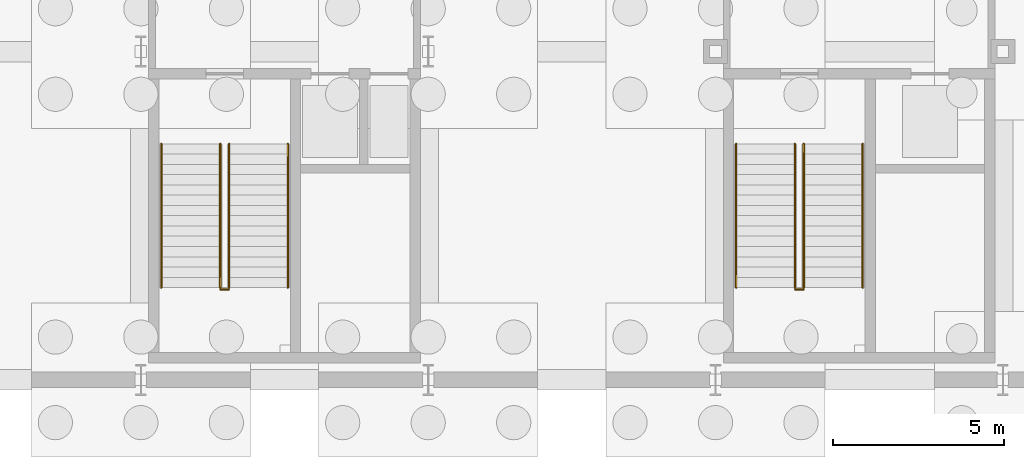
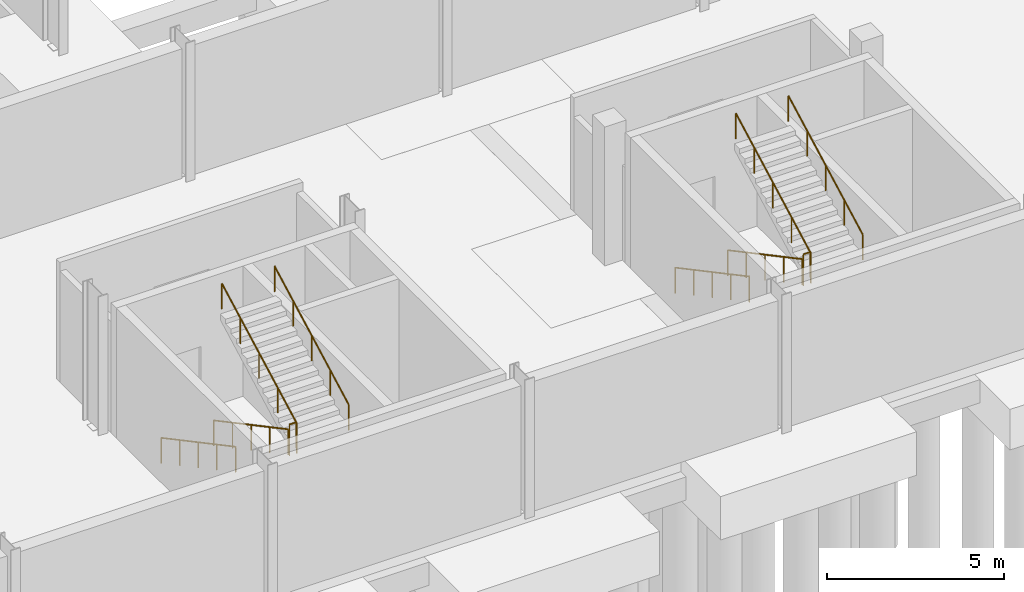
# One storey, part 26 of 29: 10 railings.
"""IFC4 building model written with IfcOpenShell, lengths in metres."""

from ifc_helpers import new_model, si_unit, direction, frame, origin, origin_2d, place, context, subcontext, project, spatial, circle, extrude, material, type_object, element, save


model = new_model("IFC4")

# Units and contexts
model_context = context("Model", 3, precision=1e-05, world=origin(), true_north=direction((0.0, 1.0)))
body_context = subcontext(model_context, "Body", "Model", "MODEL_VIEW")
ifc_project = project(units=[si_unit("LENGTHUNIT", "METRE"), si_unit("AREAUNIT", "SQUARE_METRE"), si_unit("VOLUMEUNIT", "CUBIC_METRE"), si_unit("PLANEANGLEUNIT", "RADIAN"), si_unit("MASSUNIT", "GRAM", prefix="KILO")], contexts=[model_context])

# Site, building, storey
site_placement = place(None, origin())
site = spatial("IfcSite", under=ifc_project, at=site_placement, CompositionType="ELEMENT")
building_placement = place(site_placement, origin())
building = spatial("IfcBuilding", under=site, at=building_placement, Name="Veltarok Museum of Natural Sciences", CompositionType="ELEMENT")
storey_placement = place(building_placement, frame((0.0, 0.0, -4.800048828125)))
storey = spatial("IfcBuildingStorey", under=building, at=storey_placement, Name="B1", CompositionType="ELEMENT", Elevation=-4.800048828125)

# Railings
ifc_material = material(Name="Steel S355J2", Category="steel")
railing_type_1 = type_object("IfcRailingType", Name="Interior Atrium and Stairwell Guardrail 1100", PredefinedType="GUARDRAIL", material=ifc_material)
for number, where, name in (
    (1, (92.72998046875, 2.639892578125, 2.400146484375), "Landing Well Guard ST-02-B1-L1"),
    (2, (109.530029296875, 2.639892578125, 2.400146484375), "Landing Well Guard ST-04-B1-L1"),
):
    element("IfcRailing", number, at=place(storey_placement, frame(where)), inside=storey, type_object=railing_type_1, Name=name, PredefinedType="GUARDRAIL", context=body_context, shape_type="SweptSolid", body=[
        extrude(circle(Radius=0.02392578125, at=origin_2d()), frame((0.0, 0.0, 1.076171875), z_axis=(1.0, 0.0, 0.0), x_axis=(0.0, 1.0, 0.0)), (0.0, 0.0, 1.0), 0.239990234375),
        extrude(circle(Radius=0.02099609375, at=origin_2d()), origin(), (0.0, 0.0, 1.0), 1.052001953125),
        extrude(circle(Radius=0.02099609375, at=origin_2d()), frame((0.239990234375, 0.0, 0.0)), (0.0, 0.0, 1.0), 1.052001953125),
    ])
railing_type_2 = type_object("IfcRailingType", Name="Stair Flight Tubular Steel Handrail 900", PredefinedType="HANDRAIL", material=ifc_material)
for number, where, name in (
    (3, (91.0, 6.89990234375, 0.16015625), "Stair Handrail ST-02-B1-F1L"),
    (4, (92.719970703125, 6.89990234375, 0.16015625), "Stair Handrail ST-02-B1-F1R"),
):
    element("IfcRailing", number, at=place(storey_placement, frame(where)), inside=storey, type_object=railing_type_2, Name=name, PredefinedType="HANDRAIL", context=body_context, shape_type="SweptSolid", body=[
        extrude(circle(Radius=0.02392578125, at=origin_2d()), frame((0.0, 0.0, 0.8759765625), z_axis=(0.0, -0.882351521365, 0.470590897432), x_axis=(1.0, 0.0, 0.0)), (0.0, 0.0, 1.0), 4.760009765625),
        extrude(circle(Radius=0.02099609375, at=origin_2d()), origin(), (0.0, 0.0, 1.0), 0.851806640625),
        extrude(circle(Radius=0.02099609375, at=origin_2d()), frame((0.0, -1.050048828125, 0.56005859375)), (0.0, 0.0, 1.0), 0.851806640625),
        extrude(circle(Radius=0.02099609375, at=origin_2d()), frame((0.0, -2.10009765625, 1.1201171875)), (0.0, 0.0, 1.0), 0.851806640625),
        extrude(circle(Radius=0.02099609375, at=origin_2d()), frame((0.0, -3.14990234375, 1.679931640625)), (0.0, 0.0, 1.0), 0.851806640625),
        extrude(circle(Radius=0.02099609375, at=origin_2d()), frame((0.0, -4.199951171875, 2.239990234375)), (0.0, 0.0, 1.0), 0.851806640625),
    ])
for number, where, name in (
    (5, (92.97998046875, 2.699951171875, 2.56005859375), "Stair Handrail ST-02-B1-F2L"),
    (6, (94.699951171875, 2.699951171875, 2.56005859375), "Stair Handrail ST-02-B1-F2R"),
):
    element("IfcRailing", number, at=place(storey_placement, frame(where)), inside=storey, type_object=railing_type_2, Name=name, PredefinedType="HANDRAIL", context=body_context, shape_type="SweptSolid", body=[
        extrude(circle(Radius=0.02392578125, at=origin_2d()), frame((0.0, 0.0, 0.8759765625), z_axis=(0.0, 0.882351521365, 0.470590897432), x_axis=(-1.0, 0.0, 0.0)), (0.0, 0.0, 1.0), 4.760009765625),
        extrude(circle(Radius=0.02099609375, at=origin_2d()), origin(), (0.0, 0.0, 1.0), 0.851806640625),
        extrude(circle(Radius=0.02099609375, at=origin_2d()), frame((0.0, 1.050048828125, 0.56005859375)), (0.0, 0.0, 1.0), 0.851806640625),
        extrude(circle(Radius=0.02099609375, at=origin_2d()), frame((0.0, 2.10009765625, 1.1201171875)), (0.0, 0.0, 1.0), 0.851806640625),
        extrude(circle(Radius=0.02099609375, at=origin_2d()), frame((0.0, 3.14990234375, 1.679931640625)), (0.0, 0.0, 1.0), 0.851806640625),
        extrude(circle(Radius=0.02099609375, at=origin_2d()), frame((0.0, 4.199951171875, 2.239990234375)), (0.0, 0.0, 1.0), 0.851806640625),
    ])
for number, where, name in (
    (7, (107.800048828125, 6.89990234375, 0.16015625), "Stair Handrail ST-04-B1-F1L"),
    (8, (109.52001953125, 6.89990234375, 0.16015625), "Stair Handrail ST-04-B1-F1R"),
):
    element("IfcRailing", number, at=place(storey_placement, frame(where)), inside=storey, type_object=railing_type_2, Name=name, PredefinedType="HANDRAIL", context=body_context, shape_type="SweptSolid", body=[
        extrude(circle(Radius=0.02392578125, at=origin_2d()), frame((0.0, 0.0, 0.8759765625), z_axis=(0.0, -0.882351521365, 0.470590897432), x_axis=(1.0, 0.0, 0.0)), (0.0, 0.0, 1.0), 4.760009765625),
        extrude(circle(Radius=0.02099609375, at=origin_2d()), origin(), (0.0, 0.0, 1.0), 0.851806640625),
        extrude(circle(Radius=0.02099609375, at=origin_2d()), frame((0.0, -1.050048828125, 0.56005859375)), (0.0, 0.0, 1.0), 0.851806640625),
        extrude(circle(Radius=0.02099609375, at=origin_2d()), frame((0.0, -2.10009765625, 1.1201171875)), (0.0, 0.0, 1.0), 0.851806640625),
        extrude(circle(Radius=0.02099609375, at=origin_2d()), frame((0.0, -3.14990234375, 1.679931640625)), (0.0, 0.0, 1.0), 0.851806640625),
        extrude(circle(Radius=0.02099609375, at=origin_2d()), frame((0.0, -4.199951171875, 2.239990234375)), (0.0, 0.0, 1.0), 0.851806640625),
    ])
for number, where, name in (
    (9, (109.780029296875, 2.699951171875, 2.56005859375), "Stair Handrail ST-04-B1-F2L"),
    (10, (111.5, 2.699951171875, 2.56005859375), "Stair Handrail ST-04-B1-F2R"),
):
    element("IfcRailing", number, at=place(storey_placement, frame(where)), inside=storey, type_object=railing_type_2, Name=name, PredefinedType="HANDRAIL", context=body_context, shape_type="SweptSolid", body=[
        extrude(circle(Radius=0.02392578125, at=origin_2d()), frame((0.0, 0.0, 0.8759765625), z_axis=(0.0, 0.882351521365, 0.470590897432), x_axis=(-1.0, 0.0, 0.0)), (0.0, 0.0, 1.0), 4.760009765625),
        extrude(circle(Radius=0.02099609375, at=origin_2d()), origin(), (0.0, 0.0, 1.0), 0.851806640625),
        extrude(circle(Radius=0.02099609375, at=origin_2d()), frame((0.0, 1.050048828125, 0.56005859375)), (0.0, 0.0, 1.0), 0.851806640625),
        extrude(circle(Radius=0.02099609375, at=origin_2d()), frame((0.0, 2.10009765625, 1.1201171875)), (0.0, 0.0, 1.0), 0.851806640625),
        extrude(circle(Radius=0.02099609375, at=origin_2d()), frame((0.0, 3.14990234375, 1.679931640625)), (0.0, 0.0, 1.0), 0.851806640625),
        extrude(circle(Radius=0.02099609375, at=origin_2d()), frame((0.0, 4.199951171875, 2.239990234375)), (0.0, 0.0, 1.0), 0.851806640625),
    ])

save(model, "model.ifc")
